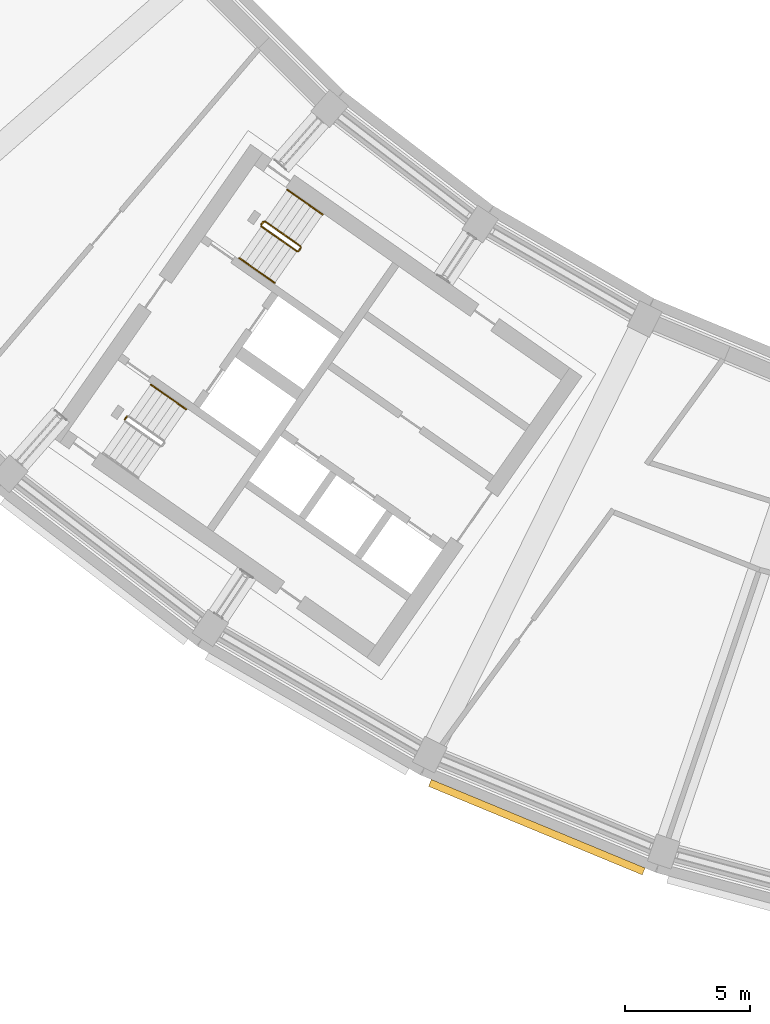
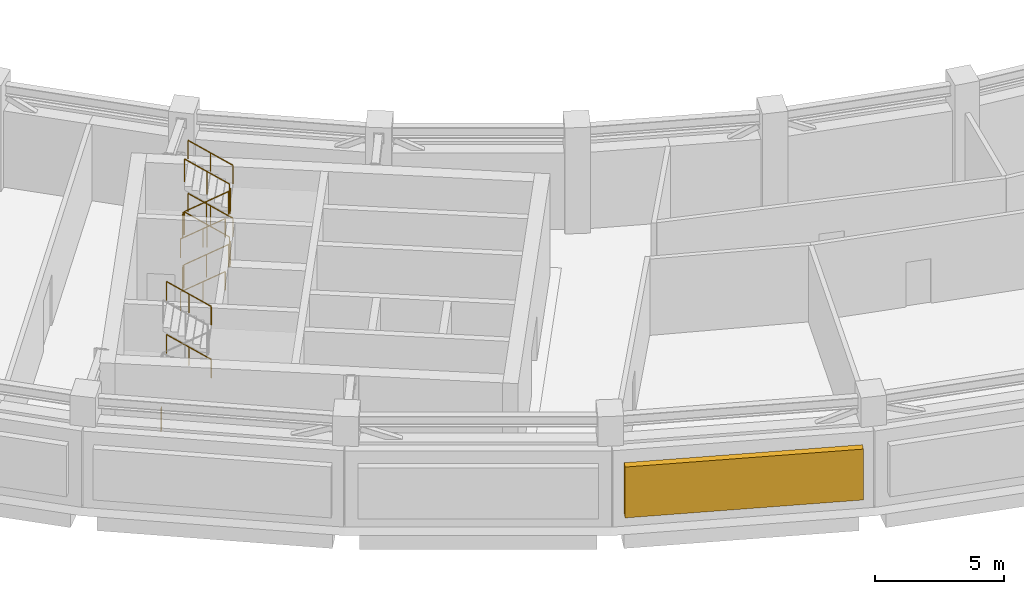
# One storey, part 22 of 24: 12 railings, 1 shading device.
"""IFC4 building model written with IfcOpenShell, lengths in metres."""

from ifc_helpers import new_model, si_unit, direction, frame, origin, origin_2d, place, context, subcontext, project, spatial, rectangle, circle, extrude, material, type_object, element, save


model = new_model("IFC4")

# Units and contexts
model_context = context("Model", 3, precision=1e-05, world=origin(), true_north=direction((0.0, 1.0)))
body_context = subcontext(model_context, "Body", "Model", "MODEL_VIEW")
ifc_project = project(units=[si_unit("LENGTHUNIT", "METRE"), si_unit("AREAUNIT", "SQUARE_METRE"), si_unit("VOLUMEUNIT", "CUBIC_METRE"), si_unit("PLANEANGLEUNIT", "RADIAN"), si_unit("MASSUNIT", "GRAM", prefix="KILO")], contexts=[model_context])

# Site, building, storey
site_placement = place(None, origin())
site = spatial("IfcSite", under=ifc_project, at=site_placement, CompositionType="ELEMENT")
building_placement = place(site_placement, origin())
building = spatial("IfcBuilding", under=site, at=building_placement, Name="Qamariyya Broadcast Tower", CompositionType="ELEMENT")
storey_placement = place(building_placement, frame((0.0, 0.0, 253.10009765625)))
storey = spatial("IfcBuildingStorey", under=building, at=storey_placement, Name="L61", CompositionType="ELEMENT", Elevation=253.10009765625)

# Railings
ifc_material_1 = material(Name="Painted steel", Category="steel")
railing_type_1 = type_object("IfcRailingType", Name="Stair guard", PredefinedType="GUARDRAIL", material=ifc_material_1)
railing_1_placement = place(storey_placement, frame((-41.146728515625, -48.52490234375, 0.178466796875)))
element("IfcRailing", 1, at=railing_1_placement, inside=storey, type_object=railing_type_1, Name="L61 ST-W2 stair guard 1", PredefinedType="GUARDRAIL", context=body_context, shape_type="SweptSolid", body=[
    extrude(circle(Radius=0.02392578125, at=origin_2d()), frame((0.0, 0.0, 1.076171875), z_axis=(0.69748900342, -0.488409565944, 0.52437122919), x_axis=(0.573594173421, 0.819139624372, 0.0)), (0.0, 0.0, 1.0), 2.04345703125),
    extrude(circle(Radius=0.02392578125, at=origin_2d()), frame((1.42529296875, -0.998046875, 2.1474609375), z_axis=(0.984470095537, 0.175552359694, 0.0), x_axis=(-0.175552359694, 0.984470095537, 0.0)), (0.0, 0.0, 1.0), 0.071044921875),
    extrude(circle(Radius=0.02392578125, at=origin_2d()), frame((1.4951171875, -0.985595703125, 2.1474609375), z_axis=(0.573353020881, 0.819308436089, 0.0), x_axis=(-0.819308436089, 0.573353020881, 0.0)), (0.0, 0.0, 1.0), 0.14990234375),
    extrude(circle(Radius=0.02099609375, at=origin_2d()), origin(), (0.0, 0.0, 1.0), 1.052001953125),
    extrude(circle(Radius=0.02099609375, at=origin_2d()), frame((0.712646484375, -0.4990234375, 0.53564453125)), (0.0, 0.0, 1.0), 1.052001953125),
    extrude(circle(Radius=0.02099609375, at=origin_2d()), frame((1.42529296875, -0.998046875, 1.071533203125)), (0.0, 0.0, 1.0), 1.052001953125),
    extrude(circle(Radius=0.02099609375, at=origin_2d()), frame((1.4951171875, -0.985595703125, 1.071533203125)), (0.0, 0.0, 1.0), 1.052001953125),
    extrude(circle(Radius=0.02099609375, at=origin_2d()), frame((1.5810546875, -0.86279296875, 1.071533203125)), (0.0, 0.0, 1.0), 1.052001953125),
])
railing_2_placement = place(storey_placement, frame((-39.577880859375, -49.318115234375, 1.428466796875)))
element("IfcRailing", 2, at=railing_2_placement, inside=storey, type_object=railing_type_1, Name="L61 ST-W2 stair guard 2", PredefinedType="GUARDRAIL", context=body_context, shape_type="SweptSolid", body=[
    extrude(circle(Radius=0.02392578125, at=origin_2d()), frame((0.0, 0.0, 1.076171875), z_axis=(-0.69748900342, 0.488409565944, 0.52437122919), x_axis=(-0.573594173421, -0.819139624372, 0.0)), (0.0, 0.0, 1.0), 2.04345703125),
    extrude(circle(Radius=0.02392578125, at=origin_2d()), frame((-1.42529296875, 0.998046875, 2.1474609375), z_axis=(-0.755063954535, -0.655651145474, 0.0), x_axis=(0.655651145474, -0.755063954535, 0.0)), (0.0, 0.0, 1.0), 0.206298828125),
    extrude(circle(Radius=0.02392578125, at=origin_2d()), frame((-1.5810546875, 0.86279296875, 2.1474609375), z_axis=(0.572588637393, 0.819842821722, 0.0), x_axis=(-0.819842821722, 0.572588637393, 0.0)), (0.0, 0.0, 1.0), 0.150146484375),
    extrude(circle(Radius=0.02099609375, at=origin_2d()), origin(), (0.0, 0.0, 1.0), 1.052001953125),
    extrude(circle(Radius=0.02099609375, at=origin_2d()), frame((-0.712646484375, 0.4990234375, 0.53564453125)), (0.0, 0.0, 1.0), 1.052001953125),
    extrude(circle(Radius=0.02099609375, at=origin_2d()), frame((-1.42529296875, 0.998046875, 1.071533203125)), (0.0, 0.0, 1.0), 1.052001953125),
    extrude(circle(Radius=0.02099609375, at=origin_2d()), frame((-1.5810546875, 0.86279296875, 1.071533203125)), (0.0, 0.0, 1.0), 1.052001953125),
    extrude(circle(Radius=0.02099609375, at=origin_2d()), frame((-1.4951171875, 0.98583984375, 1.071533203125)), (0.0, 0.0, 1.0), 1.052001953125),
])
railing_3_placement = place(storey_placement, frame((-41.146728515625, -48.52490234375, 2.678466796875)))
element("IfcRailing", 3, at=railing_3_placement, inside=storey, type_object=railing_type_1, Name="L61 ST-W2 stair guard 3", PredefinedType="GUARDRAIL", context=body_context, shape_type="SweptSolid", body=[
    extrude(circle(Radius=0.02392578125, at=origin_2d()), frame((0.0, 0.0, 1.076171875), z_axis=(0.69748900342, -0.488409565944, 0.52437122919), x_axis=(0.573594173421, 0.819139624372, 0.0)), (0.0, 0.0, 1.0), 2.04345703125),
    extrude(circle(Radius=0.02392578125, at=origin_2d()), frame((1.42529296875, -0.998046875, 2.1474609375), z_axis=(0.984470095537, 0.175552359694, 0.0), x_axis=(-0.175552359694, 0.984470095537, 0.0)), (0.0, 0.0, 1.0), 0.071044921875),
    extrude(circle(Radius=0.02392578125, at=origin_2d()), frame((1.4951171875, -0.985595703125, 2.1474609375), z_axis=(0.573353020881, 0.819308436089, 0.0), x_axis=(-0.819308436089, 0.573353020881, 0.0)), (0.0, 0.0, 1.0), 0.14990234375),
    extrude(circle(Radius=0.02099609375, at=origin_2d()), origin(), (0.0, 0.0, 1.0), 1.052001953125),
    extrude(circle(Radius=0.02099609375, at=origin_2d()), frame((0.712646484375, -0.4990234375, 0.53564453125)), (0.0, 0.0, 1.0), 1.052001953125),
    extrude(circle(Radius=0.02099609375, at=origin_2d()), frame((1.42529296875, -0.998046875, 1.071533203125)), (0.0, 0.0, 1.0), 1.052001953125),
    extrude(circle(Radius=0.02099609375, at=origin_2d()), frame((1.4951171875, -0.985595703125, 1.071533203125)), (0.0, 0.0, 1.0), 1.052001953125),
    extrude(circle(Radius=0.02099609375, at=origin_2d()), frame((1.5810546875, -0.86279296875, 1.071533203125)), (0.0, 0.0, 1.0), 1.052001953125),
])
railing_4_placement = place(storey_placement, frame((-39.577880859375, -49.318115234375, 3.928466796875)))
element("IfcRailing", 4, at=railing_4_placement, inside=storey, type_object=railing_type_1, Name="L61 ST-W2 stair guard 4", PredefinedType="GUARDRAIL", context=body_context, shape_type="SweptSolid", body=[
    extrude(circle(Radius=0.02392578125, at=origin_2d()), frame((0.0, 0.0, 1.076171875), z_axis=(-0.69748900342, 0.488409565944, 0.52437122919), x_axis=(-0.573594173421, -0.819139624372, 0.0)), (0.0, 0.0, 1.0), 2.04345703125),
    extrude(circle(Radius=0.02099609375, at=origin_2d()), origin(), (0.0, 0.0, 1.0), 1.052001953125),
    extrude(circle(Radius=0.02099609375, at=origin_2d()), frame((-0.712646484375, 0.4990234375, 0.53564453125)), (0.0, 0.0, 1.0), 1.052001953125),
    extrude(circle(Radius=0.02099609375, at=origin_2d()), frame((-1.42529296875, 0.998046875, 1.071533203125)), (0.0, 0.0, 1.0), 1.052001953125),
])
railing_5_placement = place(storey_placement, frame((-41.158935546875, -48.455322265625, 0.0)))
element("IfcRailing", 5, at=railing_5_placement, inside=storey, type_object=railing_type_1, Name="L61 ST-W2 stair guard 5", PredefinedType="GUARDRAIL", context=body_context, shape_type="SweptSolid", body=[
    extrude(circle(Radius=0.02392578125, at=origin_2d()), frame((0.0, 0.0, 1.076171875), z_axis=(0.572588637393, 0.819842821722, 0.0), x_axis=(-0.819842821722, 0.572588637393, 0.0)), (0.0, 0.0, 1.0), 0.150146484375),
    extrude(circle(Radius=0.02099609375, at=origin_2d()), origin(), (0.0, 0.0, 1.0), 1.052001953125),
    extrude(circle(Radius=0.02099609375, at=origin_2d()), frame((0.0859375, 0.123046875, 0.0)), (0.0, 0.0, 1.0), 1.052001953125),
])
railing_6_placement = place(storey_placement, frame((-46.63671875, -56.278076171875, 0.0)))
element("IfcRailing", 6, at=railing_6_placement, inside=storey, type_object=railing_type_1, Name="L61 ST-W1 stair guard 5", PredefinedType="GUARDRAIL", context=body_context, shape_type="SweptSolid", body=[
    extrude(circle(Radius=0.02392578125, at=origin_2d()), frame((0.0, 0.0, 1.076171875), z_axis=(0.574444878118, 0.818543268254, 0.0), x_axis=(-0.818543268254, 0.574444878118, 0.0)), (0.0, 0.0, 1.0), 0.150146484375),
    extrude(circle(Radius=0.02099609375, at=origin_2d()), origin(), (0.0, 0.0, 1.0), 1.052001953125),
    extrude(circle(Radius=0.02099609375, at=origin_2d()), frame((0.086181640625, 0.122802734375, 0.0)), (0.0, 0.0, 1.0), 1.052001953125),
])
ifc_material_2 = material(Name="Stainless steel", Category="steel")
railing_type_2 = type_object("IfcRailingType", Name="Stair handrail", PredefinedType="HANDRAIL", material=ifc_material_2)
railing_7_placement = place(storey_placement, frame((-42.03564453125, -49.79443359375, 0.178466796875)))
element("IfcRailing", 7, at=railing_7_placement, inside=storey, type_object=railing_type_2, Name="L61 ST-W2 stair handrail 1", PredefinedType="HANDRAIL", context=body_context, shape_type="SweptSolid", body=[
    extrude(circle(Radius=0.02392578125, at=origin_2d()), frame((0.0, 0.0, 0.8759765625), z_axis=(0.69748900342, -0.488409565944, 0.52437122919), x_axis=(0.573594173421, 0.819139624372, 0.0)), (0.0, 0.0, 1.0), 2.04345703125),
    extrude(circle(Radius=0.02099609375, at=origin_2d()), origin(), (0.0, 0.0, 1.0), 0.851806640625),
    extrude(circle(Radius=0.02099609375, at=origin_2d()), frame((0.712646484375, -0.4990234375, 0.53564453125)), (0.0, 0.0, 1.0), 0.851806640625),
    extrude(circle(Radius=0.02099609375, at=origin_2d()), frame((1.42529296875, -0.998046875, 1.071533203125)), (0.0, 0.0, 1.0), 0.851806640625),
])
railing_8_placement = place(storey_placement, frame((-38.68896484375, -48.04833984375, 1.428466796875)))
element("IfcRailing", 8, at=railing_8_placement, inside=storey, type_object=railing_type_2, Name="L61 ST-W2 stair handrail 2", PredefinedType="HANDRAIL", context=body_context, shape_type="SweptSolid", body=[
    extrude(circle(Radius=0.02392578125, at=origin_2d()), frame((0.0, 0.0, 0.8759765625), z_axis=(-0.69748900342, 0.488409565944, 0.52437122919), x_axis=(-0.573594173421, -0.819139624372, 0.0)), (0.0, 0.0, 1.0), 2.04345703125),
    extrude(circle(Radius=0.02099609375, at=origin_2d()), origin(), (0.0, 0.0, 1.0), 0.851806640625),
    extrude(circle(Radius=0.02099609375, at=origin_2d()), frame((-0.712646484375, 0.4990234375, 0.53564453125)), (0.0, 0.0, 1.0), 0.851806640625),
    extrude(circle(Radius=0.02099609375, at=origin_2d()), frame((-1.42529296875, 0.998046875, 1.071533203125)), (0.0, 0.0, 1.0), 0.851806640625),
])
railing_9_placement = place(storey_placement, frame((-42.03564453125, -49.79443359375, 2.678466796875)))
element("IfcRailing", 9, at=railing_9_placement, inside=storey, type_object=railing_type_2, Name="L61 ST-W2 stair handrail 3", PredefinedType="HANDRAIL", context=body_context, shape_type="SweptSolid", body=[
    extrude(circle(Radius=0.02392578125, at=origin_2d()), frame((0.0, 0.0, 0.8759765625), z_axis=(0.69748900342, -0.488409565944, 0.52437122919), x_axis=(0.573594173421, 0.819139624372, 0.0)), (0.0, 0.0, 1.0), 2.04345703125),
    extrude(circle(Radius=0.02099609375, at=origin_2d()), origin(), (0.0, 0.0, 1.0), 0.851806640625),
    extrude(circle(Radius=0.02099609375, at=origin_2d()), frame((0.712646484375, -0.4990234375, 0.53564453125)), (0.0, 0.0, 1.0), 0.851806640625),
    extrude(circle(Radius=0.02099609375, at=origin_2d()), frame((1.42529296875, -0.998046875, 1.071533203125)), (0.0, 0.0, 1.0), 0.851806640625),
])
for number, where, name in (
    (10, (-38.68896484375, -48.04833984375, 3.928466796875), "L61 ST-W2 stair handrail 4"),
    (11, (-44.16650390625, -55.871337890625, 1.428466796875), "L61 ST-W1 stair handrail 2"),
    (12, (-44.16650390625, -55.871337890625, 3.928466796875), "L61 ST-W1 stair handrail 4"),
):
    element("IfcRailing", number, at=place(storey_placement, frame(where)), inside=storey, type_object=railing_type_2, Name=name, PredefinedType="HANDRAIL", context=body_context, shape_type="SweptSolid", body=[
        extrude(circle(Radius=0.02392578125, at=origin_2d()), frame((0.0, 0.0, 0.8759765625), z_axis=(-0.69748900342, 0.488409565944, 0.52437122919), x_axis=(-0.573594173421, -0.819139624372, 0.0)), (0.0, 0.0, 1.0), 2.04345703125),
        extrude(circle(Radius=0.02099609375, at=origin_2d()), origin(), (0.0, 0.0, 1.0), 0.851806640625),
        extrude(circle(Radius=0.02099609375, at=origin_2d()), frame((-0.712646484375, 0.4990234375, 0.53564453125)), (0.0, 0.0, 1.0), 0.851806640625),
        extrude(circle(Radius=0.02099609375, at=origin_2d()), frame((-1.42529296875, 0.998046875, 1.071533203125)), (0.0, 0.0, 1.0), 0.851806640625),
    ])

# Shading device
ifc_material_3 = material(Name="Glazed terracotta", Category="masonry")
shading_device_type = type_object("IfcShadingDeviceType", Name="Terracotta louvre bank", PredefinedType="USERDEFINED", material=ifc_material_3)
shading_device_placement = place(storey_placement, frame((-30.091064453125, -72.646240234375, 0.599853515625), z_axis=(0.0, 0.0, 1.0), x_axis=(0.923879532511, -0.382683432365, 0.0)))
element("IfcShadingDevice", 13, at=shading_device_placement, inside=storey, type_object=shading_device_type, Name="e-lv-L61-05", ObjectType="LOUVRE", PredefinedType="USERDEFINED", context=body_context, shape_type="SweptSolid", body=[
    extrude(rectangle(XDim=9.287841796875, YDim=0.300048828125, at=origin_2d()), origin(), (0.0, 0.0, 1.0), 2.39990234375),
])

save(model, "model.ifc")
